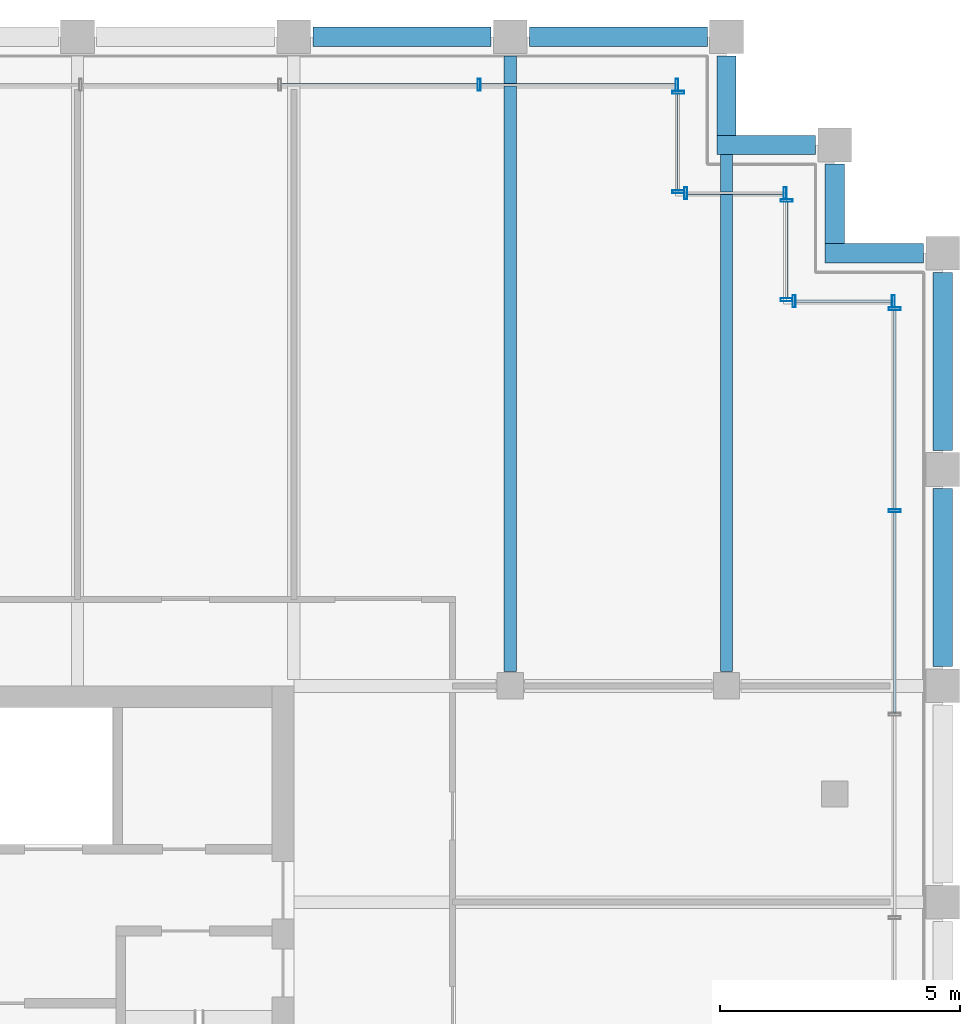
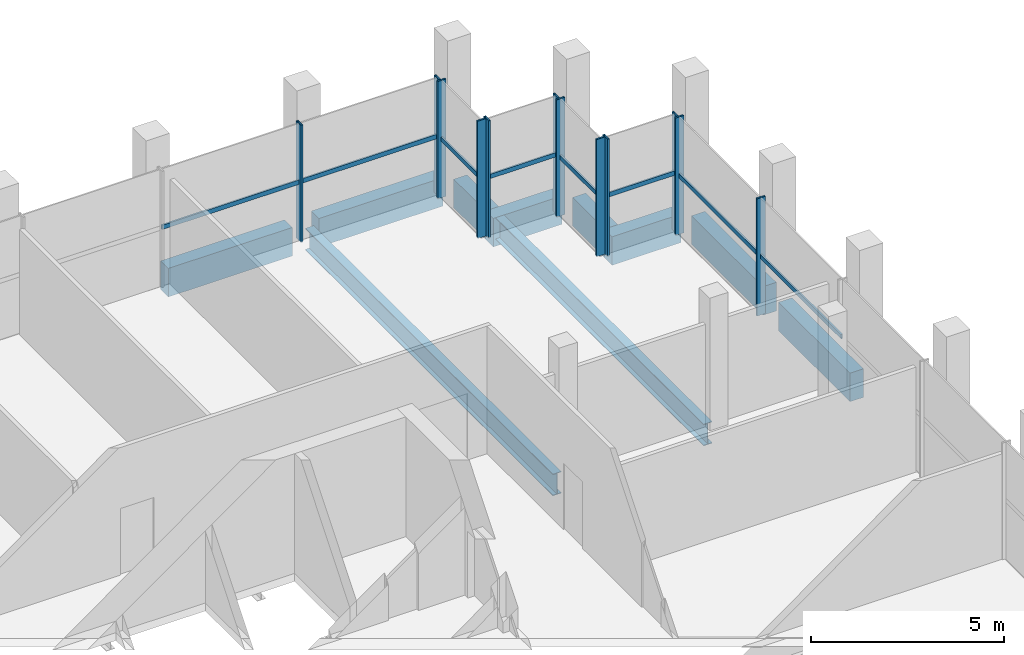
# One storey, part 12 of 17: 20 members, 10 beams, 6 elements without a shape of their own.
"""IFC4 building model written with IfcOpenShell, lengths in metres."""

from ifc_helpers import new_model, si_unit, direction, frame, origin, origin_2d, place, context, subcontext, project, spatial, rectangle, hollow_rectangle, i_section, extrude, material, material_profile, profile_set, type_object, element, aggregate, save


model = new_model("IFC4")

# Units and contexts
model_context = context("Model", 3, precision=1e-05, world=origin(), true_north=direction((0.0, 1.0)))
body_context = subcontext(model_context, "Body", "Model", "MODEL_VIEW")
ifc_project = project(units=[si_unit("LENGTHUNIT", "METRE"), si_unit("AREAUNIT", "SQUARE_METRE"), si_unit("VOLUMEUNIT", "CUBIC_METRE"), si_unit("PLANEANGLEUNIT", "RADIAN"), si_unit("MASSUNIT", "GRAM", prefix="KILO")], contexts=[model_context])

# Site, building, storey
site_placement = place(None, origin())
site = spatial("IfcSite", under=ifc_project, at=site_placement, CompositionType="ELEMENT")
building_placement = place(site_placement, origin())
building = spatial("IfcBuilding", under=site, at=building_placement, Name="Altepetl Exchange Towers", CompositionType="ELEMENT")
storey_placement = place(building_placement, frame((0.0, 0.0, 251.0)))
storey = spatial("IfcBuildingStorey", under=building, at=storey_placement, Name="L64", CompositionType="ELEMENT", Elevation=251.0)

# Beams
ifc_material_1 = material(Name="Steel S355", Category="steel")
ifc_material_profile_1 = material_profile(ifc_material_1, i_section(OverallWidth=0.25390625, OverallDepth=0.68408203125, WebThickness=0.012451171875, FlangeThickness=0.018798828125, at=origin_2d()), Name="W27X94")
ifc_profile_set_1 = profile_set([ifc_material_profile_1], Name="Steel S355")
beam_type_1 = type_object("IfcBeamType", Name="Floor beam W27X94", PredefinedType="BEAM", material=ifc_profile_set_1)
beam_1_placement = place(storey_placement, frame((63.0, 58.800048828125, -0.51708984375), z_axis=(0.0, 1.0, 0.0), x_axis=(-1.0, 0.0, 0.0)))
element("IfcBeam", 1, at=beam_1_placement, inside=storey, type_object=beam_type_1, Name="bm:A:L64:004", PredefinedType="BEAM", context=body_context, shape_type="SweptSolid", body=[
    extrude(i_section(OverallWidth=0.25390625, OverallDepth=0.68408203125, WebThickness=0.012451171875, FlangeThickness=0.018798828125, at=origin_2d()), origin(), (0.0, 0.0, 1.0), 12.800048828125),
])
beam_2_placement = place(storey_placement, frame((67.5, 58.800048828125, -0.51708984375), z_axis=(0.0, 1.0, 0.0), x_axis=(-1.0, 0.0, 0.0)))
element("IfcBeam", 2, at=beam_2_placement, inside=storey, type_object=beam_type_1, Name="bm:A:L64:005", PredefinedType="BEAM", context=body_context, shape_type="SweptSolid", body=[
    extrude(i_section(OverallWidth=0.25390625, OverallDepth=0.68408203125, WebThickness=0.012451171875, FlangeThickness=0.018798828125, at=origin_2d()), origin(), (0.0, 0.0, 1.0), 10.75),
])

# Curtain wall, members
ifc_material_2 = material(Name="Aluminium 6063-T6 glazing", Category="aluminium")
curtain_wall_type = type_object("IfcCurtainWallType", Name="Executive flush glazing system", PredefinedType="NOTDEFINED", material=ifc_material_2)
curtain_wall_1_placement = place(storey_placement, origin())
curtain_wall_1 = element("IfcCurtainWall", 3, at=curtain_wall_1_placement, inside=storey, type_object=curtain_wall_type, Name="CW4 run", PredefinedType="NOTDEFINED")
ifc_material_3 = material(Name="Aluminium 6063-T6", Category="aluminium")
ifc_material_profile_2 = material_profile(ifc_material_3, hollow_rectangle(XDim=0.06005859375, YDim=0.25, WallThickness=0.0029296875, at=origin_2d()), Name="Mullion 60x250 hollow aluminium")
ifc_profile_set_2 = profile_set([ifc_material_profile_2], Name="Aluminium 6063-T6")
member_type_1 = type_object("IfcMemberType", Name="Mullion 60x250 hollow aluminium", PredefinedType="MULLION", material=ifc_profile_set_2)
member_1_placement = place(storey_placement, frame((71.0, 62.140625, 0.0), z_axis=(0.0, 0.0, 1.0), x_axis=(0.0, 1.0, 0.0)))
member_1 = element("IfcMember", 4, at=member_1_placement, type_object=member_type_1, Name="MU3 mullion", PredefinedType="MULLION", context=body_context, shape_type="SweptSolid", body=[
    extrude(hollow_rectangle(XDim=0.06005859375, YDim=0.25, WallThickness=0.0029296875, at=origin_2d()), origin(), (0.0, 0.0, 1.0), 3.699951171875),
])
member_2_placement = place(storey_placement, frame((71.0, 66.344970703125, 0.0), z_axis=(0.0, 0.0, 1.0), x_axis=(0.0, 1.0, 0.0)))
member_2 = element("IfcMember", 5, at=member_2_placement, type_object=member_type_1, Name="MU3 mullion", PredefinedType="MULLION", context=body_context, shape_type="SweptSolid", body=[
    extrude(hollow_rectangle(XDim=0.06005859375, YDim=0.25, WallThickness=0.0029296875, at=origin_2d()), origin(), (0.0, 0.0, 1.0), 3.699951171875),
])

curtain_wall_2_placement = place(storey_placement, origin())
curtain_wall_2 = element("IfcCurtainWall", 6, at=curtain_wall_2_placement, inside=storey, type_object=curtain_wall_type, Name="CW4 run", PredefinedType="NOTDEFINED")
member_3_placement = place(storey_placement, frame((70.969970703125, 66.5, 0.0), z_axis=(0.0, 0.0, 1.0), x_axis=(-1.0, 0.0, 0.0)))
member_3 = element("IfcMember", 7, at=member_3_placement, type_object=member_type_1, Name="MU3 mullion", PredefinedType="MULLION", context=body_context, shape_type="SweptSolid", body=[
    extrude(hollow_rectangle(XDim=0.06005859375, YDim=0.25, WallThickness=0.0029296875, at=origin_2d()), origin(), (0.0, 0.0, 1.0), 3.699951171875),
])
member_4_placement = place(storey_placement, frame((68.905029296875, 66.5, 0.0), z_axis=(0.0, 0.0, 1.0), x_axis=(-1.0, 0.0, 0.0)))
member_4 = element("IfcMember", 8, at=member_4_placement, type_object=member_type_1, Name="MU3 mullion", PredefinedType="MULLION", context=body_context, shape_type="SweptSolid", body=[
    extrude(hollow_rectangle(XDim=0.06005859375, YDim=0.25, WallThickness=0.0029296875, at=origin_2d()), origin(), (0.0, 0.0, 1.0), 3.699951171875),
])

curtain_wall_3_placement = place(storey_placement, origin())
curtain_wall_3 = element("IfcCurtainWall", 9, at=curtain_wall_3_placement, inside=storey, type_object=curtain_wall_type, Name="CW4 run", PredefinedType="NOTDEFINED")
member_5_placement = place(storey_placement, frame((68.75, 66.530029296875, 0.0), z_axis=(0.0, 0.0, 1.0), x_axis=(0.0, 1.0, 0.0)))
member_5 = element("IfcMember", 10, at=member_5_placement, type_object=member_type_1, Name="MU3 mullion", PredefinedType="MULLION", context=body_context, shape_type="SweptSolid", body=[
    extrude(hollow_rectangle(XDim=0.06005859375, YDim=0.25, WallThickness=0.0029296875, at=origin_2d()), origin(), (0.0, 0.0, 1.0), 3.699951171875),
])
member_6_placement = place(storey_placement, frame((68.75, 68.594970703125, 0.0), z_axis=(0.0, 0.0, 1.0), x_axis=(0.0, 1.0, 0.0)))
member_6 = element("IfcMember", 11, at=member_6_placement, type_object=member_type_1, Name="MU3 mullion", PredefinedType="MULLION", context=body_context, shape_type="SweptSolid", body=[
    extrude(hollow_rectangle(XDim=0.06005859375, YDim=0.25, WallThickness=0.0029296875, at=origin_2d()), origin(), (0.0, 0.0, 1.0), 3.699951171875),
])

curtain_wall_4_placement = place(storey_placement, origin())
curtain_wall_4 = element("IfcCurtainWall", 12, at=curtain_wall_4_placement, inside=storey, type_object=curtain_wall_type, Name="CW4 run", PredefinedType="NOTDEFINED")
member_7_placement = place(storey_placement, frame((68.719970703125, 68.75, 0.0), z_axis=(0.0, 0.0, 1.0), x_axis=(-1.0, 0.0, 0.0)))
member_7 = element("IfcMember", 13, at=member_7_placement, type_object=member_type_1, Name="MU3 mullion", PredefinedType="MULLION", context=body_context, shape_type="SweptSolid", body=[
    extrude(hollow_rectangle(XDim=0.06005859375, YDim=0.25, WallThickness=0.0029296875, at=origin_2d()), origin(), (0.0, 0.0, 1.0), 3.699951171875),
])
member_8_placement = place(storey_placement, frame((66.655029296875, 68.75, 0.0), z_axis=(0.0, 0.0, 1.0), x_axis=(-1.0, 0.0, 0.0)))
member_8 = element("IfcMember", 14, at=member_8_placement, type_object=member_type_1, Name="MU3 mullion", PredefinedType="MULLION", context=body_context, shape_type="SweptSolid", body=[
    extrude(hollow_rectangle(XDim=0.06005859375, YDim=0.25, WallThickness=0.0029296875, at=origin_2d()), origin(), (0.0, 0.0, 1.0), 3.699951171875),
])

curtain_wall_5_placement = place(storey_placement, origin())
curtain_wall_5 = element("IfcCurtainWall", 15, at=curtain_wall_5_placement, inside=storey, type_object=curtain_wall_type, Name="CW4 run", PredefinedType="NOTDEFINED")
member_9_placement = place(storey_placement, frame((66.5, 68.780029296875, 0.0), z_axis=(0.0, 0.0, 1.0), x_axis=(0.0, 1.0, 0.0)))
member_9 = element("IfcMember", 16, at=member_9_placement, type_object=member_type_1, Name="MU3 mullion", PredefinedType="MULLION", context=body_context, shape_type="SweptSolid", body=[
    extrude(hollow_rectangle(XDim=0.06005859375, YDim=0.25, WallThickness=0.0029296875, at=origin_2d()), origin(), (0.0, 0.0, 1.0), 3.699951171875),
])
member_10_placement = place(storey_placement, frame((66.5, 70.844970703125, 0.0), z_axis=(0.0, 0.0, 1.0), x_axis=(0.0, 1.0, 0.0)))
member_10 = element("IfcMember", 17, at=member_10_placement, type_object=member_type_1, Name="MU3 mullion", PredefinedType="MULLION", context=body_context, shape_type="SweptSolid", body=[
    extrude(hollow_rectangle(XDim=0.06005859375, YDim=0.25, WallThickness=0.0029296875, at=origin_2d()), origin(), (0.0, 0.0, 1.0), 3.699951171875),
])

curtain_wall_6_placement = place(storey_placement, origin())
curtain_wall_6 = element("IfcCurtainWall", 18, at=curtain_wall_6_placement, inside=storey, type_object=curtain_wall_type, Name="CW4 run", PredefinedType="NOTDEFINED")
member_11_placement = place(storey_placement, frame((66.469970703125, 71.0, 0.0), z_axis=(0.0, 0.0, 1.0), x_axis=(-1.0, 0.0, 0.0)))
member_11 = element("IfcMember", 19, at=member_11_placement, type_object=member_type_1, Name="MU3 mullion", PredefinedType="MULLION", context=body_context, shape_type="SweptSolid", body=[
    extrude(hollow_rectangle(XDim=0.06005859375, YDim=0.25, WallThickness=0.0029296875, at=origin_2d()), origin(), (0.0, 0.0, 1.0), 3.699951171875),
])
member_12_placement = place(storey_placement, frame((62.354248046875, 71.0, 0.0), z_axis=(0.0, 0.0, 1.0), x_axis=(-1.0, 0.0, 0.0)))
member_12 = element("IfcMember", 20, at=member_12_placement, type_object=member_type_1, Name="MU3 mullion", PredefinedType="MULLION", context=body_context, shape_type="SweptSolid", body=[
    extrude(hollow_rectangle(XDim=0.06005859375, YDim=0.25, WallThickness=0.0029296875, at=origin_2d()), origin(), (0.0, 0.0, 1.0), 3.699951171875),
])

# Beams
ifc_material_4 = material(Name="Concrete C50/60 precast with cantera rosa facing", Category="concrete")
ifc_material_profile_3 = material_profile(ifc_material_4, rectangle(XDim=0.39990234375, YDim=0.89990234375, at=origin_2d()), Name="400 x 900")
ifc_profile_set_3 = profile_set([ifc_material_profile_3], Name="Concrete C50/60 precast with cantera rosa facing")
beam_type_2 = type_object("IfcBeamType", Name="Spandrel beam 400x900 cantera rosa", PredefinedType="SPANDREL", material=ifc_profile_set_3)
for number, where, z_axis, x_axis, name in (
    (21, (72.0, 58.89990234375, -0.625), (0.0, 1.0, 0.0), (-1.0, 0.0, 0.0), "sp:A:L64:018"),
    (22, (72.0, 63.39990234375, -0.625), (0.0, 1.0, 0.0), (-1.0, 0.0, 0.0), "sp:A:L64:019"),
):
    element("IfcBeam", number, at=place(storey_placement, frame(where, z_axis=z_axis, x_axis=x_axis)), inside=storey, type_object=beam_type_2, Name=name, PredefinedType="SPANDREL", context=body_context, shape_type="SweptSolid", body=[
        extrude(rectangle(XDim=0.39990234375, YDim=0.89990234375, at=origin_2d()), origin(), (0.0, 0.0, 1.0), 3.7001953125),
    ])
beam_3_placement = place(storey_placement, frame((71.60009765625, 67.5, -0.625), z_axis=(-1.0, 0.0, 0.0), x_axis=(0.0, -1.0, 0.0)))
element("IfcBeam", 23, at=beam_3_placement, inside=storey, type_object=beam_type_2, Name="sp:A:L64:020", PredefinedType="SPANDREL", context=body_context, shape_type="SweptSolid", body=[
    extrude(rectangle(XDim=0.39990234375, YDim=0.89990234375, at=origin_2d()), origin(), (0.0, 0.0, 1.0), 2.050048828125),
])
beam_4_placement = place(storey_placement, frame((69.75, 67.699951171875, -0.625), z_axis=(0.0, 1.0, 0.0), x_axis=(-1.0, 0.0, 0.0)))
element("IfcBeam", 24, at=beam_4_placement, inside=storey, type_object=beam_type_2, Name="sp:A:L64:021", PredefinedType="SPANDREL", context=body_context, shape_type="SweptSolid", body=[
    extrude(rectangle(XDim=0.39990234375, YDim=0.89990234375, at=origin_2d()), origin(), (0.0, 0.0, 1.0), 1.650146484375),
])
beam_5_placement = place(storey_placement, frame((69.35009765625, 69.75, -0.625), z_axis=(-1.0, 0.0, 0.0), x_axis=(0.0, -1.0, 0.0)))
element("IfcBeam", 25, at=beam_5_placement, inside=storey, type_object=beam_type_2, Name="sp:A:L64:022", PredefinedType="SPANDREL", context=body_context, shape_type="SweptSolid", body=[
    extrude(rectangle(XDim=0.39990234375, YDim=0.89990234375, at=origin_2d()), origin(), (0.0, 0.0, 1.0), 2.050048828125),
])
beam_6_placement = place(storey_placement, frame((67.5, 69.949951171875, -0.625), z_axis=(0.0, 1.0, 0.0), x_axis=(-1.0, 0.0, 0.0)))
element("IfcBeam", 26, at=beam_6_placement, inside=storey, type_object=beam_type_2, Name="sp:A:L64:023", PredefinedType="SPANDREL", context=body_context, shape_type="SweptSolid", body=[
    extrude(rectangle(XDim=0.39990234375, YDim=0.89990234375, at=origin_2d()), origin(), (0.0, 0.0, 1.0), 1.650146484375),
])
for number, where, z_axis, x_axis, name in (
    (27, (67.10009765625, 72.0, -0.625), (-1.0, 0.0, 0.0), (0.0, -1.0, 0.0), "sp:A:L64:024"),
    (28, (62.60009765625, 72.0, -0.625), (-1.0, 0.0, 0.0), (0.0, -1.0, 0.0), "sp:A:L64:025"),
):
    element("IfcBeam", number, at=place(storey_placement, frame(where, z_axis=z_axis, x_axis=x_axis)), inside=storey, type_object=beam_type_2, Name=name, PredefinedType="SPANDREL", context=body_context, shape_type="SweptSolid", body=[
        extrude(rectangle(XDim=0.39990234375, YDim=0.89990234375, at=origin_2d()), origin(), (0.0, 0.0, 1.0), 3.7001953125),
    ])

# Member
ifc_material_profile_4 = material_profile(ifc_material_3, hollow_rectangle(XDim=0.050048828125, YDim=0.139892578125, WallThickness=0.0029296875, at=origin_2d()), Name="Transom 50x140 hollow aluminium")
ifc_profile_set_4 = profile_set([ifc_material_profile_4], Name="Aluminium 6063-T6")
member_type_2 = type_object("IfcMemberType", Name="Transom 50x140 hollow aluminium", PredefinedType="USERDEFINED", material=ifc_profile_set_4)
member_13_placement = place(storey_placement, frame((71.0, 57.936279296875, 1.85009765625), z_axis=(0.0, 1.0, 0.0), x_axis=(-1.0, 0.0, 0.0)))
member_13 = element("IfcMember", 29, at=member_13_placement, type_object=member_type_2, Name="TR2 transom", ObjectType="TRANSOM", PredefinedType="USERDEFINED", context=body_context, shape_type="SweptSolid", body=[
    extrude(hollow_rectangle(XDim=0.050048828125, YDim=0.139892578125, WallThickness=0.0029296875, at=origin_2d()), origin(), (0.0, 0.0, 1.0), 4.17431640625),
])

member_14_placement = place(storey_placement, frame((71.0, 62.170654296875, 1.85009765625), z_axis=(0.0, 1.0, 0.0), x_axis=(-1.0, 0.0, 0.0)))
member_14 = element("IfcMember", 30, at=member_14_placement, type_object=member_type_2, Name="TR2 transom", ObjectType="TRANSOM", PredefinedType="USERDEFINED", context=body_context, shape_type="SweptSolid", body=[
    extrude(hollow_rectangle(XDim=0.050048828125, YDim=0.139892578125, WallThickness=0.0029296875, at=origin_2d()), origin(), (0.0, 0.0, 1.0), 4.144287109375),
])

aggregate(curtain_wall_1, [member_1, member_2, member_13, member_14])

member_15_placement = place(storey_placement, frame((70.93994140625, 66.5, 1.85009765625), z_axis=(-1.0, 0.0, 0.0), x_axis=(0.0, -1.0, 0.0)))
member_15 = element("IfcMember", 31, at=member_15_placement, type_object=member_type_2, Name="TR2 transom", ObjectType="TRANSOM", PredefinedType="USERDEFINED", context=body_context, shape_type="SweptSolid", body=[
    extrude(hollow_rectangle(XDim=0.050048828125, YDim=0.139892578125, WallThickness=0.0029296875, at=origin_2d()), origin(), (0.0, 0.0, 1.0), 2.0048828125),
])

aggregate(curtain_wall_2, [member_3, member_4, member_15])

member_16_placement = place(storey_placement, frame((68.75, 66.56005859375, 1.85009765625), z_axis=(0.0, 1.0, 0.0), x_axis=(-1.0, 0.0, 0.0)))
member_16 = element("IfcMember", 32, at=member_16_placement, type_object=member_type_2, Name="TR2 transom", ObjectType="TRANSOM", PredefinedType="USERDEFINED", context=body_context, shape_type="SweptSolid", body=[
    extrude(hollow_rectangle(XDim=0.050048828125, YDim=0.139892578125, WallThickness=0.0029296875, at=origin_2d()), origin(), (0.0, 0.0, 1.0), 2.0048828125),
])

aggregate(curtain_wall_3, [member_5, member_6, member_16])

member_17_placement = place(storey_placement, frame((68.68994140625, 68.75, 1.85009765625), z_axis=(-1.0, 0.0, 0.0), x_axis=(0.0, -1.0, 0.0)))
member_17 = element("IfcMember", 33, at=member_17_placement, type_object=member_type_2, Name="TR2 transom", ObjectType="TRANSOM", PredefinedType="USERDEFINED", context=body_context, shape_type="SweptSolid", body=[
    extrude(hollow_rectangle(XDim=0.050048828125, YDim=0.139892578125, WallThickness=0.0029296875, at=origin_2d()), origin(), (0.0, 0.0, 1.0), 2.0048828125),
])

aggregate(curtain_wall_4, [member_7, member_8, member_17])

member_18_placement = place(storey_placement, frame((66.5, 68.81005859375, 1.85009765625), z_axis=(0.0, 1.0, 0.0), x_axis=(-1.0, 0.0, 0.0)))
member_18 = element("IfcMember", 34, at=member_18_placement, type_object=member_type_2, Name="TR2 transom", ObjectType="TRANSOM", PredefinedType="USERDEFINED", context=body_context, shape_type="SweptSolid", body=[
    extrude(hollow_rectangle(XDim=0.050048828125, YDim=0.139892578125, WallThickness=0.0029296875, at=origin_2d()), origin(), (0.0, 0.0, 1.0), 2.0048828125),
])

aggregate(curtain_wall_5, [member_9, member_10, member_18])

member_19_placement = place(storey_placement, frame((66.43994140625, 71.0, 1.85009765625), z_axis=(-1.0, 0.0, 0.0), x_axis=(0.0, -1.0, 0.0)))
member_19 = element("IfcMember", 35, at=member_19_placement, type_object=member_type_2, Name="TR2 transom", ObjectType="TRANSOM", PredefinedType="USERDEFINED", context=body_context, shape_type="SweptSolid", body=[
    extrude(hollow_rectangle(XDim=0.050048828125, YDim=0.139892578125, WallThickness=0.0029296875, at=origin_2d()), origin(), (0.0, 0.0, 1.0), 4.0556640625),
])

member_20_placement = place(storey_placement, frame((62.32421875, 71.0, 1.85009765625), z_axis=(-1.0, 0.0, 0.0), x_axis=(0.0, -1.0, 0.0)))
member_20 = element("IfcMember", 36, at=member_20_placement, type_object=member_type_2, Name="TR2 transom", ObjectType="TRANSOM", PredefinedType="USERDEFINED", context=body_context, shape_type="SweptSolid", body=[
    extrude(hollow_rectangle(XDim=0.050048828125, YDim=0.139892578125, WallThickness=0.0029296875, at=origin_2d()), origin(), (0.0, 0.0, 1.0), 4.0859375),
])

aggregate(curtain_wall_6, [member_11, member_12, member_19, member_20])

save(model, "model.ifc")
